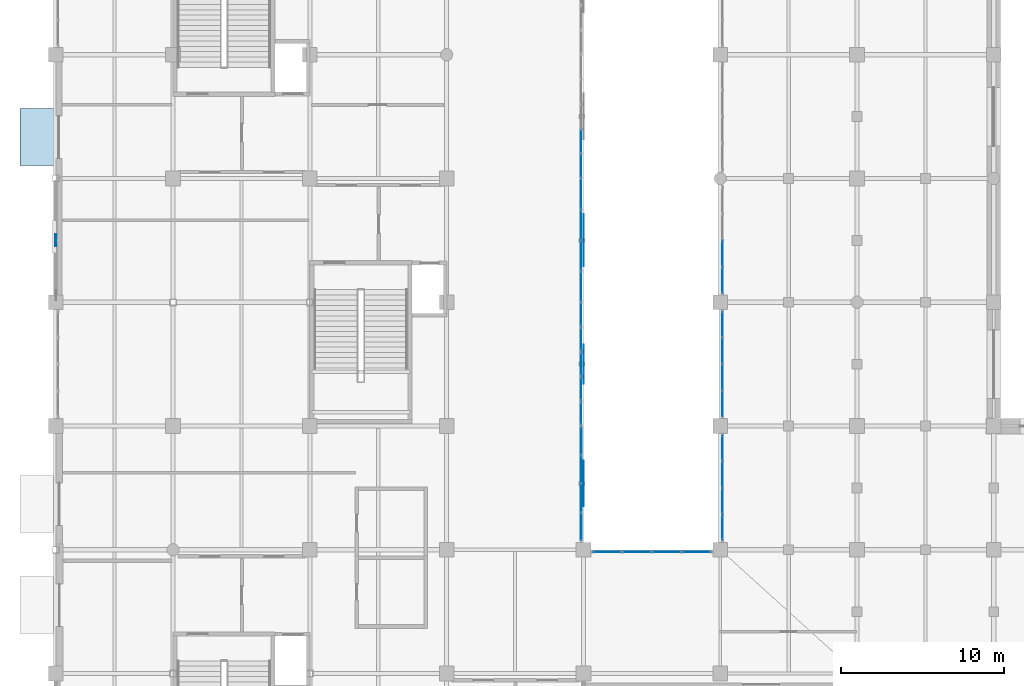
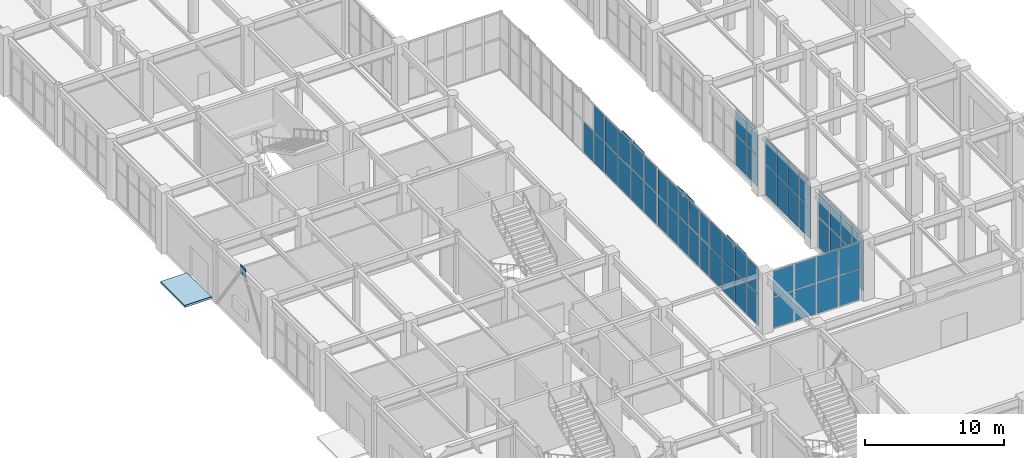
# One storey, part 102 of 139: 61 plates, 1 slab, 8 elements without a shape of their own.
"""IFC4 building model written with IfcOpenShell, lengths in metres."""

from ifc_helpers import new_model, si_unit, direction, frame, origin, origin_2d, place, context, subcontext, project, spatial, polyline, rectangle, outline, extrude, material, layer, layer_set, type_object, element, aggregate, save


model = new_model("IFC4")

# Units and contexts
model_context = context("Model", 3, precision=1e-05, world=origin(), true_north=direction((0.0, 1.0)))
body_context = subcontext(model_context, "Body", "Model", "MODEL_VIEW")
ifc_project = project(units=[si_unit("LENGTHUNIT", "METRE"), si_unit("AREAUNIT", "SQUARE_METRE"), si_unit("VOLUMEUNIT", "CUBIC_METRE"), si_unit("PLANEANGLEUNIT", "RADIAN"), si_unit("MASSUNIT", "GRAM", prefix="KILO")], contexts=[model_context])

# Site, building, storey
site_placement = place(None, origin())
site = spatial("IfcSite", under=ifc_project, at=site_placement, CompositionType="ELEMENT")
building_placement = place(site_placement, origin())
building = spatial("IfcBuilding", under=site, at=building_placement, Name="Xicomal Pleat Aquarium", CompositionType="ELEMENT")
storey_placement = place(building_placement, origin())
storey = spatial("IfcBuildingStorey", under=building, at=storey_placement, Name="L01", CompositionType="ELEMENT", Elevation=0.0)

# Curtain wall, plates
ifc_material_1 = material(Name="Bronze anodized aluminium 6063-T6", Category="aluminium")
ifc_layer_1 = layer(ifc_material_1, 0.159912109375)
ifc_layer_set_1 = layer_set([ifc_layer_1], Name="Bronze anodized aluminium 6063-T6")
curtain_wall_type_1 = type_object("IfcCurtainWallType", Name="CW-SYS-01", PredefinedType="NOTDEFINED", material=ifc_layer_set_1)
curtain_wall_1_placement = place(storey_placement, origin())
curtain_wall_1 = element("IfcCurtainWall", 1, at=curtain_wall_1_placement, inside=storey, type_object=curtain_wall_type_1, Name="L01 unitised curtain wall CW-L01-024", PredefinedType="NOTDEFINED")
ifc_material_2 = material(Name="Insulated low-E laminated glass", Category="glass")
ifc_layer_2 = layer(ifc_material_2, 0.028076171875)
ifc_layer_set_2 = layer_set([ifc_layer_2], Name="Insulated low-E laminated glass")
plate_type_1 = type_object("IfcPlateType", Name="CWP-GLZ-28", PredefinedType="CURTAIN_PANEL", material=ifc_layer_set_2)
plate_1_placement = place(storey_placement, frame((35.260009765625, 63.080078125, 0.06494140625), z_axis=(0.0, 0.0, 1.0), x_axis=(0.0, -1.0, 0.0)))
plate_1 = element("IfcPlate", 2, at=plate_1_placement, type_object=plate_type_1, Name="CW-01 panel 4.1", PredefinedType="CURTAIN_PANEL", context=body_context, shape_type="SweptSolid", body=[
    extrude(rectangle(XDim=1.455078125, YDim=0.028076171875, at=origin_2d()), origin(), (0.0, 0.0, 1.0), 2.6884765625),
])
plate_2_placement = place(storey_placement, frame((35.260009765625, 61.576416015625, 0.06494140625), z_axis=(0.0, 0.0, 1.0), x_axis=(0.0, -1.0, 0.0)))
plate_2 = element("IfcPlate", 3, at=plate_2_placement, type_object=plate_type_1, Name="CW-01 panel 5.1", PredefinedType="CURTAIN_PANEL", context=body_context, shape_type="SweptSolid", body=[
    extrude(rectangle(XDim=1.422607421875, YDim=0.028076171875, at=origin_2d()), origin(), (0.0, 0.0, 1.0), 2.6884765625),
])
plate_3_placement = place(storey_placement, frame((35.260009765625, 61.576416015625, 2.818359375), z_axis=(0.0, 0.0, 1.0), x_axis=(0.0, -1.0, 0.0)))
plate_3 = element("IfcPlate", 4, at=plate_3_placement, type_object=plate_type_1, Name="CW-01 panel 5.2", PredefinedType="CURTAIN_PANEL", context=body_context, shape_type="SweptSolid", body=[
    extrude(rectangle(XDim=1.422607421875, YDim=0.028076171875, at=origin_2d()), origin(), (0.0, 0.0, 1.0), 2.276611328125),
])
aggregate(curtain_wall_1, [plate_1, plate_2, plate_3])

ifc_material_3 = material(Name="Bronze anodized aluminium 6063-T6", Category="aluminium")
ifc_layer_3 = layer(ifc_material_3, 0.159912109375)
ifc_layer_set_3 = layer_set([ifc_layer_3], Name="Bronze anodized aluminium 6063-T6")
curtain_wall_type_2 = type_object("IfcCurtainWallType", Name="CW-SYS-06", PredefinedType="NOTDEFINED", material=ifc_layer_set_3)
curtain_wall_2_placement = place(storey_placement, origin())
curtain_wall_2 = element("IfcCurtainWall", 5, at=curtain_wall_2_placement, inside=storey, type_object=curtain_wall_type_2, Name="L01 unitised curtain wall CW-L01-028", PredefinedType="NOTDEFINED")
plate_4_placement = place(storey_placement, frame((36.85888671875, 37.860107421875, 0.0751953125), z_axis=(0.0, 0.0, 1.0), x_axis=(1.0, 0.0, 0.0)))
plate_4 = element("IfcPlate", 6, at=plate_4_placement, type_object=plate_type_1, Name="CW-06 panel 1.1", PredefinedType="CURTAIN_PANEL", context=body_context, shape_type="SweptSolid", body=[
    extrude(rectangle(XDim=1.7275390625, YDim=0.028076171875, at=origin_2d()), origin(), (0.0, 0.0, 1.0), 2.673583984375),
])
plate_5_placement = place(storey_placement, frame((36.85888671875, 37.860107421875, 2.82373046875), z_axis=(0.0, 0.0, 1.0), x_axis=(1.0, 0.0, 0.0)))
plate_5 = element("IfcPlate", 7, at=plate_5_placement, type_object=plate_type_1, Name="CW-06 panel 1.2", PredefinedType="CURTAIN_PANEL", context=body_context, shape_type="SweptSolid", body=[
    extrude(rectangle(XDim=1.7275390625, YDim=0.028076171875, at=origin_2d()), origin(), (0.0, 0.0, 1.0), 2.261474609375),
])
plate_6_placement = place(storey_placement, frame((38.679931640625, 37.860107421875, 0.0751953125), z_axis=(0.0, 0.0, 1.0), x_axis=(1.0, 0.0, 0.0)))
plate_6 = element("IfcPlate", 8, at=plate_6_placement, type_object=plate_type_1, Name="CW-06 panel 2.1", PredefinedType="CURTAIN_PANEL", context=body_context, shape_type="SweptSolid", body=[
    extrude(rectangle(XDim=1.764892578125, YDim=0.028076171875, at=origin_2d()), origin(), (0.0, 0.0, 1.0), 2.673583984375),
])
plate_7_placement = place(storey_placement, frame((38.679931640625, 37.860107421875, 2.82373046875), z_axis=(0.0, 0.0, 1.0), x_axis=(1.0, 0.0, 0.0)))
plate_7 = element("IfcPlate", 9, at=plate_7_placement, type_object=plate_type_1, Name="CW-06 panel 2.2", PredefinedType="CURTAIN_PANEL", context=body_context, shape_type="SweptSolid", body=[
    extrude(rectangle(XDim=1.764892578125, YDim=0.028076171875, at=origin_2d()), origin(), (0.0, 0.0, 1.0), 2.261474609375),
])
plate_8_placement = place(storey_placement, frame((40.52001953125, 37.860107421875, 0.0751953125), z_axis=(0.0, 0.0, 1.0), x_axis=(1.0, 0.0, 0.0)))
plate_8 = element("IfcPlate", 10, at=plate_8_placement, type_object=plate_type_1, Name="CW-06 panel 3.1", PredefinedType="CURTAIN_PANEL", context=body_context, shape_type="SweptSolid", body=[
    extrude(rectangle(XDim=1.764892578125, YDim=0.028076171875, at=origin_2d()), origin(), (0.0, 0.0, 1.0), 2.673583984375),
])
plate_9_placement = place(storey_placement, frame((40.52001953125, 37.860107421875, 2.82373046875), z_axis=(0.0, 0.0, 1.0), x_axis=(1.0, 0.0, 0.0)))
plate_9 = element("IfcPlate", 11, at=plate_9_placement, type_object=plate_type_1, Name="CW-06 panel 3.2", PredefinedType="CURTAIN_PANEL", context=body_context, shape_type="SweptSolid", body=[
    extrude(rectangle(XDim=1.764892578125, YDim=0.028076171875, at=origin_2d()), origin(), (0.0, 0.0, 1.0), 2.261474609375),
])
plate_10_placement = place(storey_placement, frame((42.34130859375, 37.860107421875, 0.0751953125), z_axis=(0.0, 0.0, 1.0), x_axis=(1.0, 0.0, 0.0)))
plate_10 = element("IfcPlate", 12, at=plate_10_placement, type_object=plate_type_1, Name="CW-06 panel 4.1", PredefinedType="CURTAIN_PANEL", context=body_context, shape_type="SweptSolid", body=[
    extrude(rectangle(XDim=1.7275390625, YDim=0.028076171875, at=origin_2d()), origin(), (0.0, 0.0, 1.0), 2.673583984375),
])
plate_11_placement = place(storey_placement, frame((42.34130859375, 37.860107421875, 2.82373046875), z_axis=(0.0, 0.0, 1.0), x_axis=(1.0, 0.0, 0.0)))
plate_11 = element("IfcPlate", 13, at=plate_11_placement, type_object=plate_type_1, Name="CW-06 panel 4.2", PredefinedType="CURTAIN_PANEL", context=body_context, shape_type="SweptSolid", body=[
    extrude(rectangle(XDim=1.7275390625, YDim=0.028076171875, at=origin_2d()), origin(), (0.0, 0.0, 1.0), 2.261474609375),
])
aggregate(curtain_wall_2, [plate_4, plate_5, plate_6, plate_7, plate_8, plate_9, plate_10, plate_11])

curtain_wall_3_placement = place(storey_placement, origin())
curtain_wall_3 = element("IfcCurtainWall", 14, at=curtain_wall_3_placement, inside=storey, type_object=curtain_wall_type_2, Name="L01 unitised curtain wall CW-L01-025", PredefinedType="NOTDEFINED")
ifc_material_4 = material(Name="Insulated low-E laminated glass", Category="glass")
ifc_layer_4 = layer(ifc_material_4, 0.031982421875)
ifc_layer_set_4 = layer_set([ifc_layer_4], Name="Insulated low-E laminated glass")
plate_type_2 = type_object("IfcPlateType", Name="CWP-GLZ-32", PredefinedType="CURTAIN_PANEL", material=ifc_layer_set_4)
plate_12_placement = place(storey_placement, frame((35.260009765625, 59.831298828125, 0.0751953125), z_axis=(0.0, 0.0, 1.0), x_axis=(0.0, -1.0, 0.0)))
plate_12 = element("IfcPlate", 15, at=plate_12_placement, type_object=plate_type_2, Name="CW-06 panel 1.1", PredefinedType="CURTAIN_PANEL", context=body_context, shape_type="SweptSolid", body=[
    extrude(rectangle(XDim=1.78759765625, YDim=0.031982421875, at=origin_2d()), origin(), (0.0, 0.0, 1.0), 2.673583984375),
])
plate_13_placement = place(storey_placement, frame((35.260009765625, 59.831298828125, 2.82373046875), z_axis=(0.0, 0.0, 1.0), x_axis=(0.0, -1.0, 0.0)))
plate_13 = element("IfcPlate", 16, at=plate_13_placement, type_object=plate_type_2, Name="CW-06 panel 1.2", PredefinedType="CURTAIN_PANEL", context=body_context, shape_type="SweptSolid", body=[
    extrude(rectangle(XDim=1.78759765625, YDim=0.031982421875, at=origin_2d()), origin(), (0.0, 0.0, 1.0), 2.261474609375),
])
plate_14_placement = place(storey_placement, frame((35.260009765625, 57.949951171875, 0.0751953125), z_axis=(0.0, 0.0, 1.0), x_axis=(0.0, -1.0, 0.0)))
plate_14 = element("IfcPlate", 17, at=plate_14_placement, type_object=plate_type_2, Name="CW-06 panel 2.1", PredefinedType="CURTAIN_PANEL", context=body_context, shape_type="SweptSolid", body=[
    extrude(rectangle(XDim=1.824951171875, YDim=0.031982421875, at=origin_2d()), origin(), (0.0, 0.0, 1.0), 2.673583984375),
])
plate_15_placement = place(storey_placement, frame((35.260009765625, 57.949951171875, 2.82373046875), z_axis=(0.0, 0.0, 1.0), x_axis=(0.0, -1.0, 0.0)))
plate_15 = element("IfcPlate", 18, at=plate_15_placement, type_object=plate_type_2, Name="CW-06 panel 2.2", PredefinedType="CURTAIN_PANEL", context=body_context, shape_type="SweptSolid", body=[
    extrude(rectangle(XDim=1.824951171875, YDim=0.031982421875, at=origin_2d()), origin(), (0.0, 0.0, 1.0), 2.261474609375),
])
plate_16_placement = place(storey_placement, frame((35.260009765625, 56.050048828125, 0.0751953125), z_axis=(0.0, 0.0, 1.0), x_axis=(0.0, -1.0, 0.0)))
plate_16 = element("IfcPlate", 19, at=plate_16_placement, type_object=plate_type_2, Name="CW-06 panel 3.1", PredefinedType="CURTAIN_PANEL", context=body_context, shape_type="SweptSolid", body=[
    extrude(rectangle(XDim=1.824951171875, YDim=0.031982421875, at=origin_2d()), origin(), (0.0, 0.0, 1.0), 2.673583984375),
])
plate_17_placement = place(storey_placement, frame((35.260009765625, 56.050048828125, 2.82373046875), z_axis=(0.0, 0.0, 1.0), x_axis=(0.0, -1.0, 0.0)))
plate_17 = element("IfcPlate", 20, at=plate_17_placement, type_object=plate_type_2, Name="CW-06 panel 3.2", PredefinedType="CURTAIN_PANEL", context=body_context, shape_type="SweptSolid", body=[
    extrude(rectangle(XDim=1.824951171875, YDim=0.031982421875, at=origin_2d()), origin(), (0.0, 0.0, 1.0), 2.261474609375),
])
plate_18_placement = place(storey_placement, frame((35.260009765625, 54.168701171875, 0.0751953125), z_axis=(0.0, 0.0, 1.0), x_axis=(0.0, -1.0, 0.0)))
plate_18 = element("IfcPlate", 21, at=plate_18_placement, type_object=plate_type_2, Name="CW-06 panel 4.1", PredefinedType="CURTAIN_PANEL", context=body_context, shape_type="SweptSolid", body=[
    extrude(rectangle(XDim=1.78759765625, YDim=0.031982421875, at=origin_2d()), origin(), (0.0, 0.0, 1.0), 2.673583984375),
])
plate_19_placement = place(storey_placement, frame((35.260009765625, 54.168701171875, 2.82373046875), z_axis=(0.0, 0.0, 1.0), x_axis=(0.0, -1.0, 0.0)))
plate_19 = element("IfcPlate", 22, at=plate_19_placement, type_object=plate_type_2, Name="CW-06 panel 4.2", PredefinedType="CURTAIN_PANEL", context=body_context, shape_type="SweptSolid", body=[
    extrude(rectangle(XDim=1.78759765625, YDim=0.031982421875, at=origin_2d()), origin(), (0.0, 0.0, 1.0), 2.261474609375),
])
aggregate(curtain_wall_3, [plate_12, plate_13, plate_14, plate_15, plate_16, plate_17, plate_18, plate_19])

ifc_material_5 = material(Name="Bronze anodized aluminium 6063-T6", Category="aluminium")
ifc_layer_5 = layer(ifc_material_5, 0.159912109375)
ifc_layer_set_5 = layer_set([ifc_layer_5], Name="Bronze anodized aluminium 6063-T6")
curtain_wall_type_3 = type_object("IfcCurtainWallType", Name="CW-SYS-11", PredefinedType="NOTDEFINED", material=ifc_layer_set_5)
curtain_wall_4_placement = place(storey_placement, origin())
curtain_wall_4 = element("IfcCurtainWall", 23, at=curtain_wall_4_placement, inside=storey, type_object=curtain_wall_type_3, Name="L01 unitised curtain wall CW-L01-029", PredefinedType="NOTDEFINED")
plate_20_placement = place(storey_placement, frame((43.93994140625, 39.361328125, 0.0849609375), z_axis=(0.0, 0.0, 1.0), x_axis=(0.0, 1.0, 0.0)))
plate_20 = element("IfcPlate", 24, at=plate_20_placement, type_object=plate_type_2, Name="CW-11 panel 1.1", PredefinedType="CURTAIN_PANEL", context=body_context, shape_type="SweptSolid", body=[
    extrude(rectangle(XDim=1.512451171875, YDim=0.031982421875, at=origin_2d()), origin(), (0.0, 0.0, 1.0), 2.62646484375),
])
plate_21_placement = place(storey_placement, frame((43.93994140625, 39.361328125, 2.79638671875), z_axis=(0.0, 0.0, 1.0), x_axis=(0.0, 1.0, 0.0)))
plate_21 = element("IfcPlate", 25, at=plate_21_placement, type_object=plate_type_2, Name="CW-11 panel 1.2", PredefinedType="CURTAIN_PANEL", context=body_context, shape_type="SweptSolid", body=[
    extrude(rectangle(XDim=1.512451171875, YDim=0.031982421875, at=origin_2d()), origin(), (0.0, 0.0, 1.0), 2.218505859375),
])
plate_22_placement = place(storey_placement, frame((43.93994140625, 40.97998046875, 0.0849609375), z_axis=(0.0, 0.0, 1.0), x_axis=(0.0, 1.0, 0.0)))
plate_22 = element("IfcPlate", 26, at=plate_22_placement, type_object=plate_type_2, Name="CW-11 panel 2.1", PredefinedType="CURTAIN_PANEL", context=body_context, shape_type="SweptSolid", body=[
    extrude(rectangle(XDim=1.554931640625, YDim=0.031982421875, at=origin_2d()), origin(), (0.0, 0.0, 1.0), 2.62646484375),
])
plate_23_placement = place(storey_placement, frame((43.93994140625, 40.97998046875, 2.79638671875), z_axis=(0.0, 0.0, 1.0), x_axis=(0.0, 1.0, 0.0)))
plate_23 = element("IfcPlate", 27, at=plate_23_placement, type_object=plate_type_2, Name="CW-11 panel 2.2", PredefinedType="CURTAIN_PANEL", context=body_context, shape_type="SweptSolid", body=[
    extrude(rectangle(XDim=1.554931640625, YDim=0.031982421875, at=origin_2d()), origin(), (0.0, 0.0, 1.0), 2.218505859375),
])
plate_24_placement = place(storey_placement, frame((43.93994140625, 42.6201171875, 0.0849609375), z_axis=(0.0, 0.0, 1.0), x_axis=(0.0, 1.0, 0.0)))
plate_24 = element("IfcPlate", 28, at=plate_24_placement, type_object=plate_type_2, Name="CW-11 panel 3.1", PredefinedType="CURTAIN_PANEL", context=body_context, shape_type="SweptSolid", body=[
    extrude(rectangle(XDim=1.554931640625, YDim=0.031982421875, at=origin_2d()), origin(), (0.0, 0.0, 1.0), 2.62646484375),
])
plate_25_placement = place(storey_placement, frame((43.93994140625, 42.6201171875, 2.79638671875), z_axis=(0.0, 0.0, 1.0), x_axis=(0.0, 1.0, 0.0)))
plate_25 = element("IfcPlate", 29, at=plate_25_placement, type_object=plate_type_2, Name="CW-11 panel 3.2", PredefinedType="CURTAIN_PANEL", context=body_context, shape_type="SweptSolid", body=[
    extrude(rectangle(XDim=1.554931640625, YDim=0.031982421875, at=origin_2d()), origin(), (0.0, 0.0, 1.0), 2.218505859375),
])
plate_26_placement = place(storey_placement, frame((43.93994140625, 44.23876953125, 0.0849609375), z_axis=(0.0, 0.0, 1.0), x_axis=(0.0, 1.0, 0.0)))
plate_26 = element("IfcPlate", 30, at=plate_26_placement, type_object=plate_type_2, Name="CW-11 panel 4.1", PredefinedType="CURTAIN_PANEL", context=body_context, shape_type="SweptSolid", body=[
    extrude(rectangle(XDim=1.512451171875, YDim=0.031982421875, at=origin_2d()), origin(), (0.0, 0.0, 1.0), 2.62646484375),
])
plate_27_placement = place(storey_placement, frame((43.93994140625, 44.23876953125, 2.79638671875), z_axis=(0.0, 0.0, 1.0), x_axis=(0.0, 1.0, 0.0)))
plate_27 = element("IfcPlate", 31, at=plate_27_placement, type_object=plate_type_2, Name="CW-11 panel 4.2", PredefinedType="CURTAIN_PANEL", context=body_context, shape_type="SweptSolid", body=[
    extrude(rectangle(XDim=1.512451171875, YDim=0.031982421875, at=origin_2d()), origin(), (0.0, 0.0, 1.0), 2.218505859375),
])
aggregate(curtain_wall_4, [plate_20, plate_21, plate_22, plate_23, plate_24, plate_25, plate_26, plate_27])

curtain_wall_5_placement = place(storey_placement, origin())
curtain_wall_5 = element("IfcCurtainWall", 32, at=curtain_wall_5_placement, inside=storey, type_object=curtain_wall_type_3, Name="L01 unitised curtain wall CW-L01-026", PredefinedType="NOTDEFINED")
ifc_material_6 = material(Name="Insulated low-E laminated glass", Category="glass")
ifc_layer_6 = layer(ifc_material_6, 0.035888671875)
ifc_layer_set_6 = layer_set([ifc_layer_6], Name="Insulated low-E laminated glass")
plate_type_3 = type_object("IfcPlateType", Name="CWP-GLZ-36", PredefinedType="CURTAIN_PANEL", material=ifc_layer_set_6)
plate_28_placement = place(storey_placement, frame((35.260009765625, 52.418701171875, 0.0849609375), z_axis=(0.0, 0.0, 1.0), x_axis=(0.0, -1.0, 0.0)))
plate_28 = element("IfcPlate", 33, at=plate_28_placement, type_object=plate_type_3, Name="CW-11 panel 1.1", PredefinedType="CURTAIN_PANEL", context=body_context, shape_type="SweptSolid", body=[
    extrude(rectangle(XDim=1.392578125, YDim=0.035888671875, at=origin_2d()), origin(), (0.0, 0.0, 1.0), 2.658447265625),
])
plate_29_placement = place(storey_placement, frame((35.260009765625, 52.418701171875, 2.828369140625), z_axis=(0.0, 0.0, 1.0), x_axis=(0.0, -1.0, 0.0)))
plate_29 = element("IfcPlate", 34, at=plate_29_placement, type_object=plate_type_3, Name="CW-11 panel 1.2", PredefinedType="CURTAIN_PANEL", context=body_context, shape_type="SweptSolid", body=[
    extrude(rectangle(XDim=1.392578125, YDim=0.035888671875, at=origin_2d()), origin(), (0.0, 0.0, 1.0), 2.24658203125),
])
plate_30_placement = place(storey_placement, frame((35.260009765625, 50.919921875, 0.0849609375), z_axis=(0.0, 0.0, 1.0), x_axis=(0.0, -1.0, 0.0)))
plate_30 = element("IfcPlate", 35, at=plate_30_placement, type_object=plate_type_3, Name="CW-11 panel 2.1", PredefinedType="CURTAIN_PANEL", context=body_context, shape_type="SweptSolid", body=[
    extrude(rectangle(XDim=1.43505859375, YDim=0.035888671875, at=origin_2d()), origin(), (0.0, 0.0, 1.0), 2.658447265625),
])
plate_31_placement = place(storey_placement, frame((35.260009765625, 50.919921875, 2.828369140625), z_axis=(0.0, 0.0, 1.0), x_axis=(0.0, -1.0, 0.0)))
plate_31 = element("IfcPlate", 36, at=plate_31_placement, type_object=plate_type_3, Name="CW-11 panel 2.2", PredefinedType="CURTAIN_PANEL", context=body_context, shape_type="SweptSolid", body=[
    extrude(rectangle(XDim=1.43505859375, YDim=0.035888671875, at=origin_2d()), origin(), (0.0, 0.0, 1.0), 2.24658203125),
])
plate_32_placement = place(storey_placement, frame((35.260009765625, 49.39990234375, 0.0849609375), z_axis=(0.0, 0.0, 1.0), x_axis=(0.0, -1.0, 0.0)))
plate_32 = element("IfcPlate", 37, at=plate_32_placement, type_object=plate_type_3, Name="CW-11 panel 3.1", PredefinedType="CURTAIN_PANEL", context=body_context, shape_type="SweptSolid", body=[
    extrude(rectangle(XDim=1.43505859375, YDim=0.035888671875, at=origin_2d()), origin(), (0.0, 0.0, 1.0), 2.658447265625),
])
plate_33_placement = place(storey_placement, frame((35.260009765625, 49.39990234375, 2.828369140625), z_axis=(0.0, 0.0, 1.0), x_axis=(0.0, -1.0, 0.0)))
plate_33 = element("IfcPlate", 38, at=plate_33_placement, type_object=plate_type_3, Name="CW-11 panel 3.2", PredefinedType="CURTAIN_PANEL", context=body_context, shape_type="SweptSolid", body=[
    extrude(rectangle(XDim=1.43505859375, YDim=0.035888671875, at=origin_2d()), origin(), (0.0, 0.0, 1.0), 2.24658203125),
])
plate_34_placement = place(storey_placement, frame((35.260009765625, 47.8798828125, 0.0849609375), z_axis=(0.0, 0.0, 1.0), x_axis=(0.0, -1.0, 0.0)))
plate_34 = element("IfcPlate", 39, at=plate_34_placement, type_object=plate_type_3, Name="CW-11 panel 4.1", PredefinedType="CURTAIN_PANEL", context=body_context, shape_type="SweptSolid", body=[
    extrude(rectangle(XDim=1.43505859375, YDim=0.035888671875, at=origin_2d()), origin(), (0.0, 0.0, 1.0), 2.658447265625),
])
plate_35_placement = place(storey_placement, frame((35.260009765625, 47.8798828125, 2.828369140625), z_axis=(0.0, 0.0, 1.0), x_axis=(0.0, -1.0, 0.0)))
plate_35 = element("IfcPlate", 40, at=plate_35_placement, type_object=plate_type_3, Name="CW-11 panel 4.2", PredefinedType="CURTAIN_PANEL", context=body_context, shape_type="SweptSolid", body=[
    extrude(rectangle(XDim=1.43505859375, YDim=0.035888671875, at=origin_2d()), origin(), (0.0, 0.0, 1.0), 2.24658203125),
])
plate_36_placement = place(storey_placement, frame((35.260009765625, 46.38134765625, 0.0849609375), z_axis=(0.0, 0.0, 1.0), x_axis=(0.0, -1.0, 0.0)))
plate_36 = element("IfcPlate", 41, at=plate_36_placement, type_object=plate_type_3, Name="CW-11 panel 5.1", PredefinedType="CURTAIN_PANEL", context=body_context, shape_type="SweptSolid", body=[
    extrude(rectangle(XDim=1.392578125, YDim=0.035888671875, at=origin_2d()), origin(), (0.0, 0.0, 1.0), 2.658447265625),
])
plate_37_placement = place(storey_placement, frame((35.260009765625, 46.38134765625, 2.828369140625), z_axis=(0.0, 0.0, 1.0), x_axis=(0.0, -1.0, 0.0)))
plate_37 = element("IfcPlate", 42, at=plate_37_placement, type_object=plate_type_3, Name="CW-11 panel 5.2", PredefinedType="CURTAIN_PANEL", context=body_context, shape_type="SweptSolid", body=[
    extrude(rectangle(XDim=1.392578125, YDim=0.035888671875, at=origin_2d()), origin(), (0.0, 0.0, 1.0), 2.24658203125),
])
aggregate(curtain_wall_5, [plate_28, plate_29, plate_30, plate_31, plate_32, plate_33, plate_34, plate_35, plate_36, plate_37])

curtain_wall_6_placement = place(storey_placement, origin())
curtain_wall_6 = element("IfcCurtainWall", 43, at=curtain_wall_6_placement, inside=storey, type_object=curtain_wall_type_1, Name="L01 unitised curtain wall CW-L01-030", PredefinedType="NOTDEFINED")
plate_38_placement = place(storey_placement, frame((43.93994140625, 46.956298828125, 0.06494140625), z_axis=(0.0, 0.0, 1.0), x_axis=(0.0, 1.0, 0.0)))
plate_38 = element("IfcPlate", 44, at=plate_38_placement, type_object=plate_type_3, Name="CW-01 panel 1.1", PredefinedType="CURTAIN_PANEL", context=body_context, shape_type="SweptSolid", body=[
    extrude(rectangle(XDim=1.54248046875, YDim=0.035888671875, at=origin_2d()), origin(), (0.0, 0.0, 1.0), 2.656494140625),
])
plate_39_placement = place(storey_placement, frame((43.93994140625, 46.956298828125, 2.78662109375), z_axis=(0.0, 0.0, 1.0), x_axis=(0.0, 1.0, 0.0)))
plate_39 = element("IfcPlate", 45, at=plate_39_placement, type_object=plate_type_3, Name="CW-01 panel 1.2", PredefinedType="CURTAIN_PANEL", context=body_context, shape_type="SweptSolid", body=[
    extrude(rectangle(XDim=1.54248046875, YDim=0.035888671875, at=origin_2d()), origin(), (0.0, 0.0, 1.0), 2.24853515625),
])
plate_40_placement = place(storey_placement, frame((43.93994140625, 48.580078125, 0.06494140625), z_axis=(0.0, 0.0, 1.0), x_axis=(0.0, 1.0, 0.0)))
plate_40 = element("IfcPlate", 46, at=plate_40_placement, type_object=plate_type_3, Name="CW-01 panel 2.1", PredefinedType="CURTAIN_PANEL", context=body_context, shape_type="SweptSolid", body=[
    extrude(rectangle(XDim=1.574951171875, YDim=0.035888671875, at=origin_2d()), origin(), (0.0, 0.0, 1.0), 2.656494140625),
])
plate_41_placement = place(storey_placement, frame((43.93994140625, 48.580078125, 2.78662109375), z_axis=(0.0, 0.0, 1.0), x_axis=(0.0, 1.0, 0.0)))
plate_41 = element("IfcPlate", 47, at=plate_41_placement, type_object=plate_type_3, Name="CW-01 panel 2.2", PredefinedType="CURTAIN_PANEL", context=body_context, shape_type="SweptSolid", body=[
    extrude(rectangle(XDim=1.574951171875, YDim=0.035888671875, at=origin_2d()), origin(), (0.0, 0.0, 1.0), 2.24853515625),
])
plate_42_placement = place(storey_placement, frame((43.93994140625, 50.219970703125, 0.06494140625), z_axis=(0.0, 0.0, 1.0), x_axis=(0.0, 1.0, 0.0)))
plate_42 = element("IfcPlate", 48, at=plate_42_placement, type_object=plate_type_3, Name="CW-01 panel 3.1", PredefinedType="CURTAIN_PANEL", context=body_context, shape_type="SweptSolid", body=[
    extrude(rectangle(XDim=1.574951171875, YDim=0.035888671875, at=origin_2d()), origin(), (0.0, 0.0, 1.0), 2.656494140625),
])
plate_43_placement = place(storey_placement, frame((43.93994140625, 50.219970703125, 2.78662109375), z_axis=(0.0, 0.0, 1.0), x_axis=(0.0, 1.0, 0.0)))
plate_43 = element("IfcPlate", 49, at=plate_43_placement, type_object=plate_type_3, Name="CW-01 panel 3.2", PredefinedType="CURTAIN_PANEL", context=body_context, shape_type="SweptSolid", body=[
    extrude(rectangle(XDim=1.574951171875, YDim=0.035888671875, at=origin_2d()), origin(), (0.0, 0.0, 1.0), 2.24853515625),
])
plate_44_placement = place(storey_placement, frame((43.93994140625, 51.84375, 0.06494140625), z_axis=(0.0, 0.0, 1.0), x_axis=(0.0, 1.0, 0.0)))
plate_44 = element("IfcPlate", 50, at=plate_44_placement, type_object=plate_type_3, Name="CW-01 panel 4.1", PredefinedType="CURTAIN_PANEL", context=body_context, shape_type="SweptSolid", body=[
    extrude(rectangle(XDim=1.54248046875, YDim=0.035888671875, at=origin_2d()), origin(), (0.0, 0.0, 1.0), 2.656494140625),
])
plate_45_placement = place(storey_placement, frame((43.93994140625, 51.84375, 2.78662109375), z_axis=(0.0, 0.0, 1.0), x_axis=(0.0, 1.0, 0.0)))
plate_45 = element("IfcPlate", 51, at=plate_45_placement, type_object=plate_type_3, Name="CW-01 panel 4.2", PredefinedType="CURTAIN_PANEL", context=body_context, shape_type="SweptSolid", body=[
    extrude(rectangle(XDim=1.54248046875, YDim=0.035888671875, at=origin_2d()), origin(), (0.0, 0.0, 1.0), 2.24853515625),
])
aggregate(curtain_wall_6, [plate_38, plate_39, plate_40, plate_41, plate_42, plate_43, plate_44, plate_45])

curtain_wall_7_placement = place(storey_placement, origin())
curtain_wall_7 = element("IfcCurtainWall", 52, at=curtain_wall_7_placement, inside=storey, type_object=curtain_wall_type_1, Name="L01 unitised curtain wall CW-L01-027", PredefinedType="NOTDEFINED")
ifc_material_7 = material(Name="Insulated low-E laminated glass", Category="glass")
ifc_layer_7 = layer(ifc_material_7, 0.0419921875)
ifc_layer_set_7 = layer_set([ifc_layer_7], Name="Insulated low-E laminated glass")
plate_type_4 = type_object("IfcPlateType", Name="CWP-GLZ-42", PredefinedType="CURTAIN_PANEL", material=ifc_layer_set_7)
plate_46_placement = place(storey_placement, frame((35.260009765625, 44.69873046875, 0.06494140625), z_axis=(0.0, 0.0, 1.0), x_axis=(0.0, -1.0, 0.0)))
plate_46 = element("IfcPlate", 53, at=plate_46_placement, type_object=plate_type_4, Name="CW-01 panel 1.1", PredefinedType="CURTAIN_PANEL", context=body_context, shape_type="SweptSolid", body=[
    extrude(rectangle(XDim=1.672607421875, YDim=0.0419921875, at=origin_2d()), origin(), (0.0, 0.0, 1.0), 2.6884765625),
])
plate_47_placement = place(storey_placement, frame((35.260009765625, 44.69873046875, 2.818359375), z_axis=(0.0, 0.0, 1.0), x_axis=(0.0, -1.0, 0.0)))
plate_47 = element("IfcPlate", 54, at=plate_47_placement, type_object=plate_type_4, Name="CW-01 panel 1.2", PredefinedType="CURTAIN_PANEL", context=body_context, shape_type="SweptSolid", body=[
    extrude(rectangle(XDim=1.672607421875, YDim=0.0419921875, at=origin_2d()), origin(), (0.0, 0.0, 1.0), 2.276611328125),
])
plate_48_placement = place(storey_placement, frame((35.260009765625, 42.945068359375, 0.06494140625), z_axis=(0.0, 0.0, 1.0), x_axis=(0.0, -1.0, 0.0)))
plate_48 = element("IfcPlate", 55, at=plate_48_placement, type_object=plate_type_4, Name="CW-01 panel 2.1", PredefinedType="CURTAIN_PANEL", context=body_context, shape_type="SweptSolid", body=[
    extrude(rectangle(XDim=1.705078125, YDim=0.0419921875, at=origin_2d()), origin(), (0.0, 0.0, 1.0), 2.6884765625),
])
plate_49_placement = place(storey_placement, frame((35.260009765625, 42.945068359375, 2.818359375), z_axis=(0.0, 0.0, 1.0), x_axis=(0.0, -1.0, 0.0)))
plate_49 = element("IfcPlate", 56, at=plate_49_placement, type_object=plate_type_4, Name="CW-01 panel 2.2", PredefinedType="CURTAIN_PANEL", context=body_context, shape_type="SweptSolid", body=[
    extrude(rectangle(XDim=1.705078125, YDim=0.0419921875, at=origin_2d()), origin(), (0.0, 0.0, 1.0), 2.276611328125),
])
plate_50_placement = place(storey_placement, frame((35.260009765625, 41.175048828125, 0.06494140625), z_axis=(0.0, 0.0, 1.0), x_axis=(0.0, -1.0, 0.0)))
plate_50 = element("IfcPlate", 57, at=plate_50_placement, type_object=plate_type_4, Name="CW-01 panel 3.1", PredefinedType="CURTAIN_PANEL", context=body_context, shape_type="SweptSolid", body=[
    extrude(rectangle(XDim=1.705078125, YDim=0.0419921875, at=origin_2d()), origin(), (0.0, 0.0, 1.0), 2.6884765625),
])
plate_51_placement = place(storey_placement, frame((35.260009765625, 41.175048828125, 2.818359375), z_axis=(0.0, 0.0, 1.0), x_axis=(0.0, -1.0, 0.0)))
plate_51 = element("IfcPlate", 58, at=plate_51_placement, type_object=plate_type_4, Name="CW-01 panel 3.2", PredefinedType="CURTAIN_PANEL", context=body_context, shape_type="SweptSolid", body=[
    extrude(rectangle(XDim=1.705078125, YDim=0.0419921875, at=origin_2d()), origin(), (0.0, 0.0, 1.0), 2.276611328125),
])
plate_52_placement = place(storey_placement, frame((35.260009765625, 39.42138671875, 0.06494140625), z_axis=(0.0, 0.0, 1.0), x_axis=(0.0, -1.0, 0.0)))
plate_52 = element("IfcPlate", 59, at=plate_52_placement, type_object=plate_type_4, Name="CW-01 panel 4.1", PredefinedType="CURTAIN_PANEL", context=body_context, shape_type="SweptSolid", body=[
    extrude(rectangle(XDim=1.672607421875, YDim=0.0419921875, at=origin_2d()), origin(), (0.0, 0.0, 1.0), 2.6884765625),
])
plate_53_placement = place(storey_placement, frame((35.260009765625, 39.42138671875, 2.818359375), z_axis=(0.0, 0.0, 1.0), x_axis=(0.0, -1.0, 0.0)))
plate_53 = element("IfcPlate", 60, at=plate_53_placement, type_object=plate_type_4, Name="CW-01 panel 4.2", PredefinedType="CURTAIN_PANEL", context=body_context, shape_type="SweptSolid", body=[
    extrude(rectangle(XDim=1.672607421875, YDim=0.0419921875, at=origin_2d()), origin(), (0.0, 0.0, 1.0), 2.276611328125),
])
aggregate(curtain_wall_7, [plate_46, plate_47, plate_48, plate_49, plate_50, plate_51, plate_52, plate_53])

curtain_wall_8_placement = place(storey_placement, origin())
curtain_wall_8 = element("IfcCurtainWall", 61, at=curtain_wall_8_placement, inside=storey, type_object=curtain_wall_type_2, Name="L01 unitised curtain wall CW-L01-031", PredefinedType="NOTDEFINED")
plate_54_placement = place(storey_placement, frame((43.93994140625, 54.55859375, 0.074951171875), z_axis=(0.0, 0.0, 1.0), x_axis=(0.0, 1.0, 0.0)))
plate_54 = element("IfcPlate", 62, at=plate_54_placement, type_object=plate_type_4, Name="CW-06 panel 1.1", PredefinedType="CURTAIN_PANEL", context=body_context, shape_type="SweptSolid", body=[
    extrude(rectangle(XDim=1.527587890625, YDim=0.0419921875, at=origin_2d()), origin(), (0.0, 0.0, 1.0), 2.6416015625),
])
plate_55_placement = place(storey_placement, frame((43.93994140625, 54.55859375, 2.79150390625), z_axis=(0.0, 0.0, 1.0), x_axis=(0.0, 1.0, 0.0)))
plate_55 = element("IfcPlate", 63, at=plate_55_placement, type_object=plate_type_4, Name="CW-06 panel 1.2", PredefinedType="CURTAIN_PANEL", context=body_context, shape_type="SweptSolid", body=[
    extrude(rectangle(XDim=1.527587890625, YDim=0.0419921875, at=origin_2d()), origin(), (0.0, 0.0, 1.0), 2.2333984375),
])
plate_56_placement = place(storey_placement, frame((43.93994140625, 56.179931640625, 0.074951171875), z_axis=(0.0, 0.0, 1.0), x_axis=(0.0, 1.0, 0.0)))
plate_56 = element("IfcPlate", 64, at=plate_56_placement, type_object=plate_type_4, Name="CW-06 panel 2.1", PredefinedType="CURTAIN_PANEL", context=body_context, shape_type="SweptSolid", body=[
    extrude(rectangle(XDim=1.56494140625, YDim=0.0419921875, at=origin_2d()), origin(), (0.0, 0.0, 1.0), 2.6416015625),
])
plate_57_placement = place(storey_placement, frame((43.93994140625, 56.179931640625, 2.79150390625), z_axis=(0.0, 0.0, 1.0), x_axis=(0.0, 1.0, 0.0)))
plate_57 = element("IfcPlate", 65, at=plate_57_placement, type_object=plate_type_4, Name="CW-06 panel 2.2", PredefinedType="CURTAIN_PANEL", context=body_context, shape_type="SweptSolid", body=[
    extrude(rectangle(XDim=1.56494140625, YDim=0.0419921875, at=origin_2d()), origin(), (0.0, 0.0, 1.0), 2.2333984375),
])
aggregate(curtain_wall_8, [plate_54, plate_55, plate_56, plate_57])

# Plates
ifc_material_8 = material(Name="Structural steel A992 Gr 50", Category="steel")
ifc_layer_8 = layer(ifc_material_8, 0.044921875)
ifc_layer_set_8 = layer_set([ifc_layer_8], Name="Structural steel A992 Gr 50")
plate_type_5 = type_object("IfcPlateType", Name="PLT-GUS-45", PredefinedType="USERDEFINED", material=ifc_layer_set_8)
plate_58_placement = place(storey_placement, frame((3.0, 57.0, 4.675048828125), z_axis=(0.0, 0.0, 1.0), x_axis=(0.0, 1.0, 0.0)))
element("IfcPlate", 66, at=plate_58_placement, inside=storey, type_object=plate_type_5, Name="L01 chevron gusset node plate 7", ObjectType="GUSSET PLATE", PredefinedType="USERDEFINED", context=body_context, shape_type="SweptSolid", body=[
    extrude(rectangle(XDim=0.75, YDim=0.044921875, at=origin_2d()), origin(), (0.0, 0.0, 1.0), 0.75),
])
ifc_material_9 = material(Name="Perforated bronze anodized aluminium", Category="aluminium")
ifc_layer_9 = layer(ifc_material_9, 0.01611328125)
ifc_layer_set_9 = layer_set([ifc_layer_9], Name="Perforated bronze anodized aluminium")
plate_type_6 = type_object("IfcPlateType", Name="PLT-SUN-16", PredefinedType="USERDEFINED", material=ifc_layer_set_9)
plate_59_placement = place(storey_placement, frame((35.419921875, 49.39990234375, 3.919921875), z_axis=(0.0, 0.0, 1.0), x_axis=(0.0, -1.0, 0.0)))
element("IfcPlate", 67, at=plate_59_placement, inside=storey, type_object=plate_type_6, Name="L01 perforated solar sunshade 15", ObjectType="SUNSHADE PANEL", PredefinedType="USERDEFINED", context=body_context, shape_type="SweptSolid", body=[
    extrude(rectangle(XDim=2.39990234375, YDim=0.01611328125, at=origin_2d()), origin(), (0.0, 0.0, 1.0), 1.199951171875),
])
ifc_material_10 = material(Name="Perforated bronze anodized aluminium", Category="aluminium")
ifc_layer_10 = layer(ifc_material_10, 0.02001953125)
ifc_layer_set_10 = layer_set([ifc_layer_10], Name="Perforated bronze anodized aluminium")
plate_type_7 = type_object("IfcPlateType", Name="PLT-SUN-20", PredefinedType="USERDEFINED", material=ifc_layer_set_10)
plate_60_placement = place(storey_placement, frame((35.419921875, 42.06005859375, 3.43994140625), z_axis=(0.0, 0.0, 1.0), x_axis=(0.0, -1.0, 0.0)))
element("IfcPlate", 68, at=plate_60_placement, inside=storey, type_object=plate_type_7, Name="L01 perforated solar sunshade 16", ObjectType="SUNSHADE PANEL", PredefinedType="USERDEFINED", context=body_context, shape_type="SweptSolid", body=[
    extrude(rectangle(XDim=2.800048828125, YDim=0.02001953125, at=origin_2d()), origin(), (0.0, 0.0, 1.0), 1.679931640625),
])
ifc_material_11 = material(Name="Perforated bronze anodized aluminium", Category="aluminium")
ifc_layer_11 = layer(ifc_material_11, 0.02392578125)
ifc_layer_set_11 = layer_set([ifc_layer_11], Name="Perforated bronze anodized aluminium")
plate_type_8 = type_object("IfcPlateType", Name="PLT-SUN-24", PredefinedType="USERDEFINED", material=ifc_layer_set_11)
plate_61_placement = place(storey_placement, frame((35.419921875, 57.0, 3.52001953125), z_axis=(0.0, 0.0, 1.0), x_axis=(0.0, -1.0, 0.0)))
element("IfcPlate", 69, at=plate_61_placement, inside=storey, type_object=plate_type_8, Name="L01 perforated solar sunshade 14", ObjectType="SUNSHADE PANEL", PredefinedType="USERDEFINED", context=body_context, shape_type="SweptSolid", body=[
    extrude(rectangle(XDim=3.199951171875, YDim=0.02392578125, at=origin_2d()), origin(), (0.0, 0.0, 1.0), 1.60009765625),
])

# Slab
ifc_material_12 = material(Name="Concrete C40/50", Category="concrete")
ifc_layer_12 = layer(ifc_material_12, 0.18505859375)
ifc_layer_set_12 = layer_set([ifc_layer_12], Name="Concrete C40/50")
slab_type = type_object("IfcSlabType", Name="SLB-TER-185", PredefinedType="FLOOR", material=ifc_layer_set_12)
slab_placement = place(storey_placement, frame((0.0, 0.0, -0.18505859375)))
element("IfcSlab", 70, at=slab_placement, inside=storey, type_object=slab_type, Name="Exterior grade entrance apron SL-APR-EX-01", PredefinedType="FLOOR", context=body_context, shape_type="SweptSolid", body=[
    extrude(outline(polyline([(0.800048828125, 61.5849609375), (0.800048828125, 65.0849609375), (3.0, 65.0849609375), (3.0, 61.5849609375), (0.800048828125, 61.5849609375)])), origin(), (0.0, 0.0, 1.0), 0.18505859375),
])

save(model, "model.ifc")
